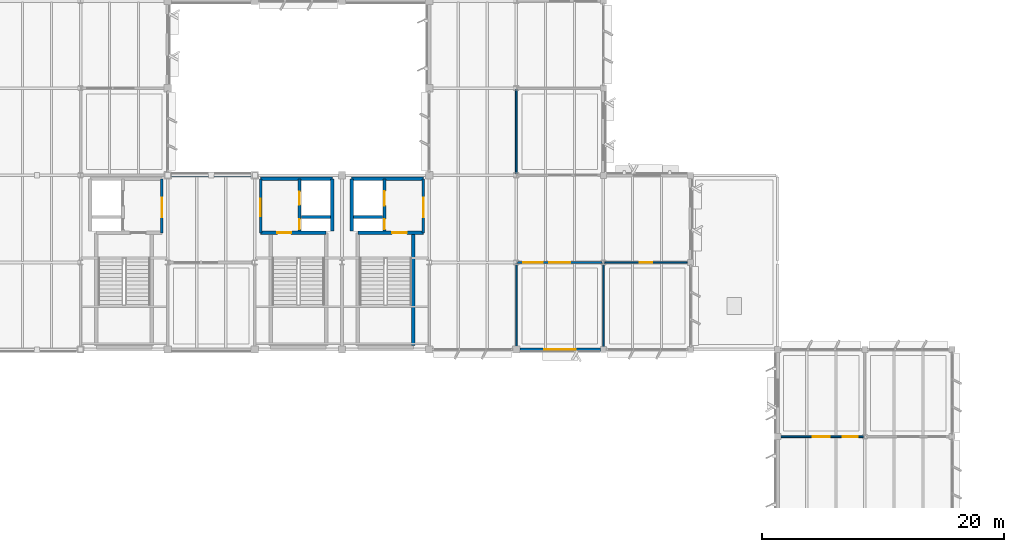
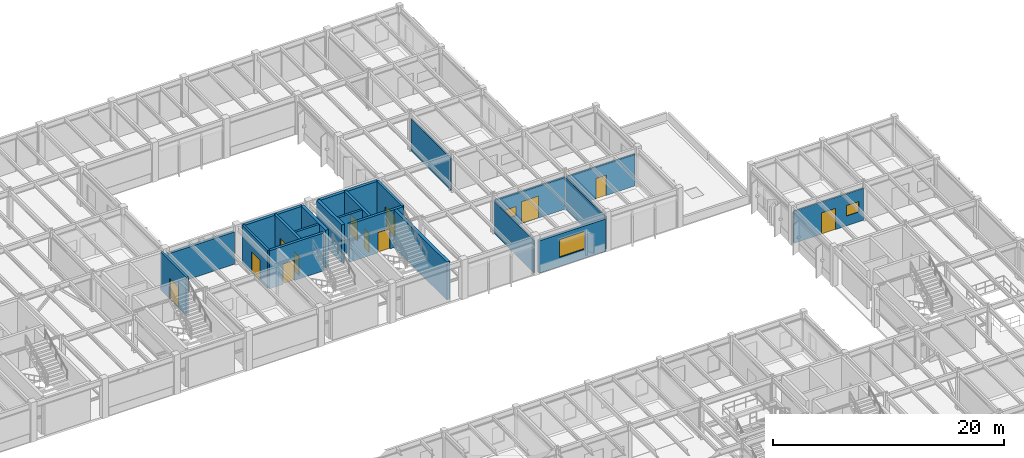
# One storey, part 41 of 85: 22 walls, 12 doors, 3 windows, 15 openings.
"""IFC4 building model written with IfcOpenShell, lengths in metres."""

from ifc_helpers import new_model, si_unit, direction, frame, frame_2d, origin, place, context, subcontext, project, spatial, rectangle, extrude, material, layer, layer_set, type_object, element, fill, save


model = new_model("IFC4")

# Units and contexts
model_context = context("Model", 3, precision=1e-05, world=origin(), true_north=direction((0.0, 1.0)))
body_context = subcontext(model_context, "Body", "Model", "MODEL_VIEW")
ifc_project = project(units=[si_unit("LENGTHUNIT", "METRE"), si_unit("AREAUNIT", "SQUARE_METRE"), si_unit("VOLUMEUNIT", "CUBIC_METRE"), si_unit("PLANEANGLEUNIT", "RADIAN"), si_unit("MASSUNIT", "GRAM", prefix="KILO")], contexts=[model_context])

# Site, building, storey
site_placement = place(None, origin())
site = spatial("IfcSite", under=ifc_project, at=site_placement, CompositionType="ELEMENT")
building_placement = place(site_placement, origin())
building = spatial("IfcBuilding", under=site, at=building_placement, Name="Sillqori Civic Hall", CompositionType="ELEMENT")
storey_placement = place(building_placement, frame((0.0, 0.0, 9.89990234375)))
storey = spatial("IfcBuildingStorey", under=building, at=storey_placement, Name="L03", CompositionType="ELEMENT", Elevation=9.89990234375)

# Wall, opening, door
ifc_material_1 = material(Name="Concrete C35/45 (H35)", Category="concrete")
ifc_layer_1 = layer(ifc_material_1, 0.219970703125)
ifc_layer_set_1 = layer_set([ifc_layer_1], Name="Concrete C35/45 (H35)")
wall_type_1 = type_object("IfcWallType", Name="CW-SHR-220", PredefinedType="SHEAR", material=ifc_layer_set_1)
wall_1_placement = place(storey_placement, frame((71.52001953125, 93.300048828125, 0.0), z_axis=(0.0, 0.0, 1.0), x_axis=(0.0, -1.0, 0.0)))
wall_1 = element("IfcWall", 1, at=wall_1_placement, inside=storey, type_object=wall_type_1, Name="L03 C6 firefighting lobby enclosure wall", PredefinedType="SHEAR", context=body_context, shape_type="SweptSolid", body=[
    extrude(rectangle(XDim=4.449951171875, YDim=0.219970703125, at=frame_2d((2.22509765625, 0.0))), origin(), (0.0, 0.0, 1.0), 4.02001953125),
])
opening_1_placement = place(wall_1_placement, frame((1.550048828125, 0.0, 0.0)))
opening_1 = element("IfcOpeningElement", 2, at=opening_1_placement, cuts=wall_1, Name="Opening FD-04", PredefinedType="OPENING", context=body_context, shape_type="SweptSolid", body=[
    extrude(rectangle(XDim=1.60009765625, YDim=2.199951171875, at=frame_2d((0.800048828125, 1.10009765625))), frame((0.0, 0.119873046875, 0.0), z_axis=(0.0, -1.0, 0.0), x_axis=(1.0, 0.0, 0.0)), (0.0, 0.0, 1.0), 0.239990234375),
])
ifc_material_2 = material(Name="Double-Leaf Firefighting Lobby Door", Category="steel")
door_type_1 = type_object("IfcDoorType", Name="FDR-LOB-160X220", OperationType="NOTDEFINED", PredefinedType="DOOR", material=ifc_material_2)
door_1_placement = place(opening_1_placement, origin())
door_1 = element("IfcDoor", 3, at=door_1_placement, inside=storey, type_object=door_type_1, Name="L03 C6 firefighting lobby exit door", OperationType="DOUBLE_DOOR_SINGLE_SWING", OverallHeight=2.199951171875, OverallWidth=1.60009765625, PredefinedType="DOOR", context=body_context, shape_type="SweptSolid", body=[
    extrude(rectangle(XDim=1.60009765625, YDim=2.199951171875, at=frame_2d((0.800048828125, 1.10009765625))), frame((0.0, 0.02490234375, 0.0), z_axis=(0.0, -1.0, 0.0), x_axis=(1.0, 0.0, 0.0)), (0.0, 0.0, 1.0), 0.050048828125),
])
fill(opening_1, door_1)

# Wall
wall_2_placement = place(storey_placement, frame((83.050048828125, 90.14990234375, 0.0), z_axis=(0.0, 0.0, 1.0), x_axis=(1.0, 0.0, 0.0)))
element("IfcWall", 4, at=wall_2_placement, inside=storey, type_object=wall_type_1, Name="L03 C7 Lift-riser divider wall", PredefinedType="SHEAR", context=body_context, shape_type="SweptSolid", body=[
    extrude(rectangle(XDim=2.39990234375, YDim=0.219970703125, at=frame_2d((1.199951171875, 0.0))), origin(), (0.0, 0.0, 1.0), 4.02001953125),
])

# Wall, opening, door
wall_3_placement = place(storey_placement, frame((79.679931640625, 88.85009765625, 0.0), z_axis=(0.0, 0.0, 1.0), x_axis=(0.0, 1.0, 0.0)))
wall_3 = element("IfcWall", 5, at=wall_3_placement, inside=storey, type_object=wall_type_1, Name="L03 C7 firefighting lobby enclosure wall", PredefinedType="SHEAR", context=body_context, shape_type="SweptSolid", body=[
    extrude(rectangle(XDim=4.449951171875, YDim=0.219970703125, at=frame_2d((2.22509765625, 0.0))), origin(), (0.0, 0.0, 1.0), 4.02001953125),
])
opening_2_placement = place(wall_3_placement, frame((1.375, 0.0, 0.0)))
opening_2 = element("IfcOpeningElement", 6, at=opening_2_placement, cuts=wall_3, Name="Opening FD-03", PredefinedType="OPENING", context=body_context, shape_type="SweptSolid", body=[
    extrude(rectangle(XDim=1.449951171875, YDim=2.199951171875, at=frame_2d((0.72509765625, 1.10009765625))), frame((0.0, 0.119873046875, 0.0), z_axis=(0.0, -1.0, 0.0), x_axis=(1.0, 0.0, 0.0)), (0.0, 0.0, 1.0), 0.239990234375),
])
ifc_material_3 = material(Name="Double-Leaf Smoke-Seal Lobby Door", Category="steel")
door_type_2 = type_object("IfcDoorType", Name="FDR-LOB-145X220", OperationType="NOTDEFINED", PredefinedType="DOOR", material=ifc_material_3)
door_2_placement = place(opening_2_placement, origin())
door_2 = element("IfcDoor", 7, at=door_2_placement, inside=storey, type_object=door_type_2, Name="L03 C7 firefighting lobby exit door", OperationType="DOUBLE_DOOR_SINGLE_SWING", OverallHeight=2.199951171875, OverallWidth=1.449951171875, PredefinedType="DOOR", context=body_context, shape_type="SweptSolid", body=[
    extrude(rectangle(XDim=1.449951171875, YDim=2.199951171875, at=frame_2d((0.72509765625, 1.10009765625))), frame((0.0, 0.02490234375, 0.0), z_axis=(0.0, -1.0, 0.0), x_axis=(1.0, 0.0, 0.0)), (0.0, 0.0, 1.0), 0.050048828125),
])
fill(opening_2, door_2)

# Wall
wall_4_placement = place(storey_placement, frame((87.35009765625, 90.14990234375, 0.0), z_axis=(0.0, 0.0, 1.0), x_axis=(1.0, 0.0, 0.0)))
element("IfcWall", 8, at=wall_4_placement, inside=storey, type_object=wall_type_1, Name="L03 C8 Lift-riser divider wall", PredefinedType="SHEAR", context=body_context, shape_type="SweptSolid", body=[
    extrude(rectangle(XDim=2.39990234375, YDim=0.219970703125, at=frame_2d((1.199951171875, 0.0))), origin(), (0.0, 0.0, 1.0), 4.02001953125),
])

# Wall, opening, door
wall_5_placement = place(storey_placement, frame((93.1201171875, 93.300048828125, 0.0), z_axis=(0.0, 0.0, 1.0), x_axis=(0.0, -1.0, 0.0)))
wall_5 = element("IfcWall", 9, at=wall_5_placement, inside=storey, type_object=wall_type_1, Name="L03 C8 firefighting lobby enclosure wall", PredefinedType="SHEAR", context=body_context, shape_type="SweptSolid", body=[
    extrude(rectangle(XDim=4.449951171875, YDim=0.219970703125, at=frame_2d((2.22509765625, 0.0))), origin(), (0.0, 0.0, 1.0), 4.02001953125),
])
opening_3_placement = place(wall_5_placement, frame((1.550048828125, 0.0, 0.0)))
opening_3 = element("IfcOpeningElement", 10, at=opening_3_placement, cuts=wall_5, Name="Opening FD-04", PredefinedType="OPENING", context=body_context, shape_type="SweptSolid", body=[
    extrude(rectangle(XDim=1.60009765625, YDim=2.199951171875, at=frame_2d((0.800048828125, 1.10009765625))), frame((0.0, 0.119873046875, 0.0), z_axis=(0.0, -1.0, 0.0), x_axis=(1.0, 0.0, 0.0)), (0.0, 0.0, 1.0), 0.239990234375),
])
door_3_placement = place(opening_3_placement, origin())
door_3 = element("IfcDoor", 11, at=door_3_placement, inside=storey, type_object=door_type_1, Name="L03 C8 firefighting lobby exit door", OperationType="DOUBLE_DOOR_SINGLE_SWING", OverallHeight=2.199951171875, OverallWidth=1.60009765625, PredefinedType="DOOR", context=body_context, shape_type="SweptSolid", body=[
    extrude(rectangle(XDim=1.60009765625, YDim=2.199951171875, at=frame_2d((0.800048828125, 1.10009765625))), frame((0.0, 0.02490234375, 0.0), z_axis=(0.0, -1.0, 0.0), x_axis=(1.0, 0.0, 0.0)), (0.0, 0.0, 1.0), 0.050048828125),
])
fill(opening_3, door_3)

ifc_layer_2 = layer(ifc_material_1, 0.260009765625)
ifc_layer_set_2 = layer_set([ifc_layer_2], Name="Concrete C35/45 (H35)")
wall_type_2 = type_object("IfcWallType", Name="CW-SHR-260", PredefinedType="SHEAR", material=ifc_layer_set_2)
wall_6_placement = place(storey_placement, frame((79.679931640625, 88.85009765625, 0.0), z_axis=(0.0, 0.0, 1.0), x_axis=(1.0, 0.0, 0.0)))
wall_6 = element("IfcWall", 12, at=wall_6_placement, inside=storey, type_object=wall_type_2, Name="L03 C7 Stair-lobby fire wall", PredefinedType="SHEAR", context=body_context, shape_type="SweptSolid", body=[
    extrude(rectangle(XDim=5.41015625, YDim=0.260009765625, at=frame_2d((2.705078125, 0.0))), origin(), (0.0, 0.0, 1.0), 4.02001953125),
])
opening_4_placement = place(wall_6_placement, frame((1.3701171875, 0.0, 0.0)))
opening_4 = element("IfcOpeningElement", 13, at=opening_4_placement, cuts=wall_6, Name="Opening FD-01", PredefinedType="OPENING", context=body_context, shape_type="SweptSolid", body=[
    extrude(rectangle(XDim=1.14990234375, YDim=2.14990234375, at=frame_2d((0.574951171875, 1.074951171875))), frame((0.0, 0.139892578125, 0.0), z_axis=(0.0, -1.0, 0.0), x_axis=(1.0, 0.0, 0.0)), (0.0, 0.0, 1.0), 0.280029296875),
])
ifc_material_4 = material(Name="Galvanized Steel Fire Door FD90S", Category="steel")
door_type_3 = type_object("IfcDoorType", Name="FDR-STR-115X215", OperationType="NOTDEFINED", PredefinedType="DOOR", material=ifc_material_4)
door_4_placement = place(opening_4_placement, origin())
door_4 = element("IfcDoor", 14, at=door_4_placement, inside=storey, type_object=door_type_3, Name="L03 stair ST-07 fire door", OperationType="SINGLE_SWING_RIGHT", OverallHeight=2.14990234375, OverallWidth=1.14990234375, PredefinedType="DOOR", context=body_context, shape_type="SweptSolid", body=[
    extrude(rectangle(XDim=1.14990234375, YDim=2.14990234375, at=frame_2d((0.574951171875, 1.074951171875))), frame((0.0, 0.02490234375, 0.0), z_axis=(0.0, -1.0, 0.0), x_axis=(1.0, 0.0, 0.0)), (0.0, 0.0, 1.0), 0.050048828125),
])
fill(opening_4, door_4)

# Wall, openings, doors
wall_7_placement = place(storey_placement, frame((82.89990234375, 88.97998046875, 0.0), z_axis=(0.0, 0.0, 1.0), x_axis=(0.0, 1.0, 0.0)))
wall_7 = element("IfcWall", 15, at=wall_7_placement, inside=storey, type_object=wall_type_2, Name="L03 C7 Lift landing & riser front wall", PredefinedType="SHEAR", context=body_context, shape_type="SweptSolid", body=[
    extrude(rectangle(XDim=4.320068359375, YDim=0.260009765625, at=frame_2d((2.16015625, 0.0))), origin(), (0.0, 0.0, 1.0), 4.02001953125),
])
opening_5_placement = place(wall_7_placement, frame((2.169921875, 0.0, 0.0)))
opening_5 = element("IfcOpeningElement", 16, at=opening_5_placement, cuts=wall_7, Name="Opening LD-01", PredefinedType="OPENING", context=body_context, shape_type="SweptSolid", body=[
    extrude(rectangle(XDim=1.10009765625, YDim=2.14990234375, at=frame_2d((0.550048828125, 1.074951171875))), frame((0.0, 0.139892578125, 0.0), z_axis=(0.0, -1.0, 0.0), x_axis=(1.0, 0.0, 0.0)), (0.0, 0.0, 1.0), 0.280029296875),
])
opening_6_placement = place(wall_7_placement, frame((0.14501953125, 0.0, 0.0)))
opening_6 = element("IfcOpeningElement", 17, at=opening_6_placement, cuts=wall_7, Name="Opening FD-05", PredefinedType="OPENING", context=body_context, shape_type="SweptSolid", body=[
    extrude(rectangle(XDim=0.85009765625, YDim=2.050048828125, at=frame_2d((0.425048828125, 1.02490234375))), frame((0.0, 0.139892578125, 0.0), z_axis=(0.0, -1.0, 0.0), x_axis=(1.0, 0.0, 0.0)), (0.0, 0.0, 1.0), 0.280029296875),
])
ifc_material_5 = material(Name="Steel Riser Access Fire Door", Category="steel")
door_type_4 = type_object("IfcDoorType", Name="FDR-RSR-085X205", OperationType="NOTDEFINED", PredefinedType="DOOR", material=ifc_material_5)
door_5_placement = place(opening_6_placement, origin())
door_5 = element("IfcDoor", 18, at=door_5_placement, inside=storey, type_object=door_type_4, Name="L03 MEP riser C7 fire access door", OperationType="SINGLE_SWING_LEFT", OverallHeight=2.050048828125, OverallWidth=0.85009765625, PredefinedType="DOOR", context=body_context, shape_type="SweptSolid", body=[
    extrude(rectangle(XDim=0.85009765625, YDim=2.050048828125, at=frame_2d((0.425048828125, 1.02490234375))), frame((0.0, 0.02490234375, 0.0), z_axis=(0.0, -1.0, 0.0), x_axis=(1.0, 0.0, 0.0)), (0.0, 0.0, 1.0), 0.050048828125),
])
fill(opening_6, door_5)
ifc_material_6 = material(Name="Stainless Steel Lift Landing Door", Category="steel")
door_type_5 = type_object("IfcDoorType", Name="LDR-PASS-110X215", OperationType="NOTDEFINED", PredefinedType="DOOR", material=ifc_material_6)
door_6_placement = place(opening_5_placement, origin())
door_6 = element("IfcDoor", 19, at=door_6_placement, inside=storey, type_object=door_type_5, Name="L03 lift LF-04 sliding landing door", OperationType="DOUBLE_DOOR_SLIDING", OverallHeight=2.14990234375, OverallWidth=1.10009765625, PredefinedType="DOOR", context=body_context, shape_type="SweptSolid", body=[
    extrude(rectangle(XDim=1.10009765625, YDim=2.14990234375, at=frame_2d((0.550048828125, 1.074951171875))), frame((0.0, 0.02490234375, 0.0), z_axis=(0.0, -1.0, 0.0), x_axis=(1.0, 0.0, 0.0)), (0.0, 0.0, 1.0), 0.050048828125),
])
fill(opening_5, door_6)

# Wall, opening, door
wall_8_placement = place(storey_placement, frame((87.7099609375, 88.85009765625, 0.0), z_axis=(0.0, 0.0, 1.0), x_axis=(1.0, 0.0, 0.0)))
wall_8 = element("IfcWall", 20, at=wall_8_placement, inside=storey, type_object=wall_type_2, Name="L03 C8 Stair-lobby fire wall", PredefinedType="SHEAR", context=body_context, shape_type="SweptSolid", body=[
    extrude(rectangle(XDim=5.41015625, YDim=0.260009765625, at=frame_2d((2.705078125, 0.0))), origin(), (0.0, 0.0, 1.0), 4.02001953125),
])
opening_7_placement = place(wall_8_placement, frame((2.840087890625, 0.0, 0.0)))
opening_7 = element("IfcOpeningElement", 21, at=opening_7_placement, cuts=wall_8, Name="Opening FD-02", PredefinedType="OPENING", context=body_context, shape_type="SweptSolid", body=[
    extrude(rectangle(XDim=1.219970703125, YDim=2.14990234375, at=frame_2d((0.60986328125, 1.074951171875))), frame((0.0, 0.139892578125, 0.0), z_axis=(0.0, -1.0, 0.0), x_axis=(1.0, 0.0, 0.0)), (0.0, 0.0, 1.0), 0.280029296875),
])
ifc_material_7 = material(Name="Galvanized Steel Fire Door FD120S", Category="steel")
door_type_6 = type_object("IfcDoorType", Name="FDR-STR-122X215", OperationType="NOTDEFINED", PredefinedType="DOOR", material=ifc_material_7)
door_7_placement = place(opening_7_placement, origin())
door_7 = element("IfcDoor", 22, at=door_7_placement, inside=storey, type_object=door_type_6, Name="L03 stair ST-08 fire door", OperationType="SINGLE_SWING_RIGHT", OverallHeight=2.14990234375, OverallWidth=1.219970703125, PredefinedType="DOOR", context=body_context, shape_type="SweptSolid", body=[
    extrude(rectangle(XDim=1.219970703125, YDim=2.14990234375, at=frame_2d((0.60986328125, 1.074951171875))), frame((0.0, 0.02490234375, 0.0), z_axis=(0.0, -1.0, 0.0), x_axis=(1.0, 0.0, 0.0)), (0.0, 0.0, 1.0), 0.050048828125),
])
fill(opening_7, door_7)

# Wall, openings, doors
wall_9_placement = place(storey_placement, frame((89.89990234375, 93.300048828125, 0.0), z_axis=(0.0, 0.0, 1.0), x_axis=(0.0, -1.0, 0.0)))
wall_9 = element("IfcWall", 23, at=wall_9_placement, inside=storey, type_object=wall_type_2, Name="L03 C8 Lift landing & riser front wall", PredefinedType="SHEAR", context=body_context, shape_type="SweptSolid", body=[
    extrude(rectangle(XDim=4.320068359375, YDim=0.260009765625, at=frame_2d((2.16015625, 0.0))), origin(), (0.0, 0.0, 1.0), 4.02001953125),
])
opening_8_placement = place(wall_9_placement, frame((1.0, 0.0, 0.0)))
opening_8 = element("IfcOpeningElement", 24, at=opening_8_placement, cuts=wall_9, Name="Opening LD-02", PredefinedType="OPENING", context=body_context, shape_type="SweptSolid", body=[
    extrude(rectangle(XDim=1.199951171875, YDim=2.14990234375, at=frame_2d((0.60009765625, 1.074951171875))), frame((0.0, 0.139892578125, 0.0), z_axis=(0.0, -1.0, 0.0), x_axis=(1.0, 0.0, 0.0)), (0.0, 0.0, 1.0), 0.280029296875),
])
opening_9_placement = place(wall_9_placement, frame((3.324951171875, 0.0, 0.0)))
opening_9 = element("IfcOpeningElement", 25, at=opening_9_placement, cuts=wall_9, Name="Opening FD-05", PredefinedType="OPENING", context=body_context, shape_type="SweptSolid", body=[
    extrude(rectangle(XDim=0.85009765625, YDim=2.050048828125, at=frame_2d((0.425048828125, 1.02490234375))), frame((0.0, 0.139892578125, 0.0), z_axis=(0.0, -1.0, 0.0), x_axis=(1.0, 0.0, 0.0)), (0.0, 0.0, 1.0), 0.280029296875),
])
door_8_placement = place(opening_9_placement, origin())
door_8 = element("IfcDoor", 26, at=door_8_placement, inside=storey, type_object=door_type_4, Name="L03 MEP riser C8 fire access door", OperationType="SINGLE_SWING_LEFT", OverallHeight=2.050048828125, OverallWidth=0.85009765625, PredefinedType="DOOR", context=body_context, shape_type="SweptSolid", body=[
    extrude(rectangle(XDim=0.85009765625, YDim=2.050048828125, at=frame_2d((0.425048828125, 1.02490234375))), frame((0.0, 0.02490234375, 0.0), z_axis=(0.0, -1.0, 0.0), x_axis=(1.0, 0.0, 0.0)), (0.0, 0.0, 1.0), 0.050048828125),
])
fill(opening_9, door_8)
ifc_material_8 = material(Name="Firefighting Lift Landing Door", Category="steel")
door_type_7 = type_object("IfcDoorType", Name="LDR-FIRE-120X215", OperationType="NOTDEFINED", PredefinedType="DOOR", material=ifc_material_8)
door_9_placement = place(opening_8_placement, origin())
door_9 = element("IfcDoor", 27, at=door_9_placement, inside=storey, type_object=door_type_7, Name="L03 lift LF-02 sliding landing door", OperationType="DOUBLE_DOOR_SLIDING", OverallHeight=2.14990234375, OverallWidth=1.199951171875, PredefinedType="DOOR", context=body_context, shape_type="SweptSolid", body=[
    extrude(rectangle(XDim=1.199951171875, YDim=2.14990234375, at=frame_2d((0.60009765625, 1.074951171875))), frame((0.0, 0.02490234375, 0.0), z_axis=(0.0, -1.0, 0.0), x_axis=(1.0, 0.0, 0.0)), (0.0, 0.0, 1.0), 0.050048828125),
])
fill(opening_8, door_9)

# Walls
ifc_layer_3 = layer(ifc_material_1, 0.300048828125)
ifc_layer_set_3 = layer_set([ifc_layer_3], Name="Concrete C35/45 (H35)")
wall_type_3 = type_object("IfcWallType", Name="CW-SHR-300", PredefinedType="SHEAR", material=ifc_layer_set_3)
wall_10_placement = place(storey_placement, frame((85.60009765625, 88.97998046875, 0.0), z_axis=(0.0, 0.0, 1.0), x_axis=(0.0, 1.0, 0.0)))
element("IfcWall", 28, at=wall_10_placement, inside=storey, type_object=wall_type_3, Name="L03 C7 Lift shaft east shear wall", PredefinedType="SHEAR", context=body_context, shape_type="SweptSolid", body=[
    extrude(rectangle(XDim=4.320068359375, YDim=0.300048828125, at=frame_2d((2.16015625, 0.0))), origin(), (0.0, 0.0, 1.0), 4.02001953125),
])
wall_11_placement = place(storey_placement, frame((79.679931640625, 93.300048828125, 0.0), z_axis=(0.0, 0.0, 1.0), x_axis=(1.0, 0.0, 0.0)))
element("IfcWall", 29, at=wall_11_placement, inside=storey, type_object=wall_type_3, Name="L03 C7 Core north shear wall", PredefinedType="SHEAR", context=body_context, shape_type="SweptSolid", body=[
    extrude(rectangle(XDim=5.920166015625, YDim=0.300048828125, at=frame_2d((2.9599609375, 0.0))), origin(), (0.0, 0.0, 1.0), 4.02001953125),
])
wall_12_placement = place(storey_placement, frame((92.2900390625, 79.550048828125, 0.0), z_axis=(0.0, 0.0, 1.0), x_axis=(0.0, 1.0, 0.0)))
element("IfcWall", 30, at=wall_12_placement, inside=storey, type_object=wall_type_3, Name="L03 C8 Stair east shear wall", PredefinedType="SHEAR", context=body_context, shape_type="SweptSolid", body=[
    extrude(rectangle(XDim=9.300048828125, YDim=0.300048828125, at=frame_2d((4.64990234375, 0.0))), origin(), (0.0, 0.0, 1.0), 4.02001953125),
])
wall_13_placement = place(storey_placement, frame((87.199951171875, 88.97998046875, 0.0), z_axis=(0.0, 0.0, 1.0), x_axis=(0.0, 1.0, 0.0)))
element("IfcWall", 31, at=wall_13_placement, inside=storey, type_object=wall_type_3, Name="L03 C8 Lift shaft west shear wall", PredefinedType="SHEAR", context=body_context, shape_type="SweptSolid", body=[
    extrude(rectangle(XDim=4.320068359375, YDim=0.300048828125, at=frame_2d((2.16015625, 0.0))), origin(), (0.0, 0.0, 1.0), 4.02001953125),
])
wall_14_placement = place(storey_placement, frame((87.199951171875, 93.300048828125, 0.0), z_axis=(0.0, 0.0, 1.0), x_axis=(1.0, 0.0, 0.0)))
element("IfcWall", 32, at=wall_14_placement, inside=storey, type_object=wall_type_3, Name="L03 C8 Core north shear wall", PredefinedType="SHEAR", context=body_context, shape_type="SweptSolid", body=[
    extrude(rectangle(XDim=5.920166015625, YDim=0.300048828125, at=frame_2d((2.9599609375, 0.0))), origin(), (0.0, 0.0, 1.0), 4.02001953125),
])
ifc_material_9 = material(Name="Precast concrete C40/50 (H40)", Category="concrete")
ifc_layer_4 = layer(ifc_material_9, 0.280029296875)
ifc_layer_set_4 = layer_set([ifc_layer_4], Name="Precast concrete C40/50 (H40)")
wall_type_4 = type_object("IfcWallType", Name="EW-LIME-280", PredefinedType="SOLIDWALL", material=ifc_layer_set_4)
wall_15_placement = place(storey_placement, frame((72.300048828125, 93.60009765625, 0.0), z_axis=(0.0, 0.0, 1.0), x_axis=(1.0, 0.0, 0.0)))
element("IfcWall", 33, at=wall_15_placement, inside=storey, type_object=wall_type_4, Name="L03 V4 exterior wall L03-10-12-N", PredefinedType="SOLIDWALL", context=body_context, shape_type="SweptSolid", body=[
    extrude(rectangle(XDim=6.599853515625, YDim=0.280029296875, at=frame_2d((3.2998046875, 0.0))), origin(), (0.0, 0.0, 1.0), 3.418212890625),
])

# Wall, opening, window
wall_16_placement = place(storey_placement, frame((107.75, 79.199951171875, 0.0), z_axis=(0.0, 0.0, 1.0), x_axis=(-1.0, 0.0, 0.0)))
wall_16 = element("IfcWall", 34, at=wall_16_placement, inside=storey, type_object=wall_type_4, Name="L03 V4 exterior wall L03-14-11-S", PredefinedType="SOLIDWALL", context=body_context, shape_type="SweptSolid", body=[
    extrude(rectangle(XDim=6.64990234375, YDim=0.280029296875, at=frame_2d((3.324951171875, 0.0))), origin(), (0.0, 0.0, 1.0), 3.418212890625),
])
opening_10_placement = place(wall_16_placement, frame((2.02490234375, 0.0, 0.949951171875)))
opening_10 = element("IfcOpeningElement", 35, at=opening_10_placement, cuts=wall_16, Name="Opening W-16", PredefinedType="OPENING", context=body_context, shape_type="SweptSolid", body=[
    extrude(rectangle(XDim=2.60009765625, YDim=1.89990234375, at=frame_2d((1.300048828125, 0.949951171875))), frame((0.0, 0.14990234375, 0.0), z_axis=(0.0, -1.0, 0.0), x_axis=(1.0, 0.0, 0.0)), (0.0, 0.0, 1.0), 0.300048828125),
])
ifc_material_10 = material(Name="Thermally Broken Aluminium Low-E Window", Category="aluminium")
window_type_1 = type_object("IfcWindowType", Name="WIN-V4-260X190", PartitioningType="SINGLE_PANEL", PredefinedType="WINDOW", material=ifc_material_10)
window_1_placement = place(opening_10_placement, origin())
window_1 = element("IfcWindow", 36, at=window_1_placement, inside=storey, type_object=window_type_1, Name="L03 V4 window L03-14-11-S.1", OverallHeight=1.89990234375, OverallWidth=2.60009765625, PartitioningType="SINGLE_PANEL", PredefinedType="WINDOW", context=body_context, shape_type="SweptSolid", body=[
    extrude(rectangle(XDim=2.60009765625, YDim=1.89990234375, at=frame_2d((1.300048828125, 0.949951171875))), frame((0.0, 0.030029296875, 0.0), z_axis=(0.0, -1.0, 0.0), x_axis=(1.0, 0.0, 0.0)), (0.0, 0.0, 1.0), 0.06005859375),
])
fill(opening_10, window_1)

# Walls
ifc_material_11 = material(Name="Double-Glazed Civic Suite Screen 118", Category="glass")
ifc_layer_5 = layer(ifc_material_11, 0.117919921875)
ifc_layer_set_5 = layer_set([ifc_layer_5], Name="Double-Glazed Civic Suite Screen 118")
wall_type_5 = type_object("IfcWallType", Name="PT-GLZ-118", PredefinedType="PARTITIONING", material=ifc_layer_set_5)
wall_17_placement = place(storey_placement, frame((100.800048828125, 79.320068359375, 0.0), z_axis=(0.0, 0.0, 1.0), x_axis=(0.0, 1.0, 0.0)))
element("IfcWall", 37, at=wall_17_placement, inside=storey, type_object=wall_type_5, Name="Civil Engineering and Drainage Directorate L03-06 partition W2", PredefinedType="PARTITIONING", context=body_context, shape_type="SweptSolid", body=[
    extrude(rectangle(XDim=6.9599609375, YDim=0.117919921875, at=frame_2d((3.47998046875, 0.0))), origin(), (0.0, 0.0, 1.0), 3.408203125),
])
wall_18_placement = place(storey_placement, frame((108.0, 86.280029296875, 0.0), z_axis=(0.0, 0.0, 1.0), x_axis=(0.0, -1.0, 0.0)))
element("IfcWall", 38, at=wall_18_placement, inside=storey, type_object=wall_type_5, Name="Civil Engineering and Drainage Directorate L03-06 partition E3", PredefinedType="PARTITIONING", context=body_context, shape_type="SweptSolid", body=[
    extrude(rectangle(XDim=6.9599609375, YDim=0.117919921875, at=frame_2d((3.47998046875, 0.0))), origin(), (0.0, 0.0, 1.0), 3.38818359375),
])

# Wall, opening, door
ifc_material_12 = material(Name="Acoustic Steel-Stud Partition 120", Category="steel")
ifc_layer_6 = layer(ifc_material_12, 0.1201171875)
ifc_layer_set_6 = layer_set([ifc_layer_6], Name="Acoustic Steel-Stud Partition 120")
wall_type_6 = type_object("IfcWallType", Name="PT-GYP-120", PredefinedType="PARTITIONING", material=ifc_layer_set_6)
wall_19_placement = place(storey_placement, frame((108.1201171875, 86.39990234375, 0.0), z_axis=(0.0, 0.0, 1.0), x_axis=(1.0, 0.0, 0.0)))
wall_19 = element("IfcWall", 39, at=wall_19_placement, inside=storey, type_object=wall_type_6, Name="Urban Planning Masterplan Studio L03-09 partition N1", PredefinedType="PARTITIONING", context=body_context, shape_type="SweptSolid", body=[
    extrude(rectangle(XDim=6.7998046875, YDim=0.1201171875, at=frame_2d((3.39990234375, 0.0))), origin(), (0.0, 0.0, 1.0), 3.38818359375),
])
opening_11_placement = place(wall_19_placement, frame((2.875, 0.0, 0.0)))
opening_11 = element("IfcOpeningElement", 40, at=opening_11_placement, cuts=wall_19, Name="Opening ID-14", PredefinedType="OPENING", context=body_context, shape_type="SweptSolid", body=[
    extrude(rectangle(XDim=1.050048828125, YDim=2.14990234375, at=frame_2d((0.52490234375, 1.074951171875))), frame((0.0, 0.070068359375, 0.0), z_axis=(0.0, -1.0, 0.0), x_axis=(1.0, 0.0, 0.0)), (0.0, 0.0, 1.0), 0.14013671875),
])
ifc_material_13 = material(Name="Solid-Core Cedar Office Door 1050", Category="timber")
door_type_8 = type_object("IfcDoorType", Name="IDR-OFF-105X215", OperationType="NOTDEFINED", PredefinedType="DOOR", material=ifc_material_13)
door_10_placement = place(opening_11_placement, origin())
door_10 = element("IfcDoor", 41, at=door_10_placement, inside=storey, type_object=door_type_8, Name="Urban Planning Masterplan Studio L03-09 entrance door", OperationType="SINGLE_SWING_RIGHT", OverallHeight=2.14990234375, OverallWidth=1.050048828125, PredefinedType="DOOR", context=body_context, shape_type="SweptSolid", body=[
    extrude(rectangle(XDim=1.050048828125, YDim=2.14990234375, at=frame_2d((0.52490234375, 1.074951171875))), frame((0.0, 0.02490234375, 0.0), z_axis=(0.0, -1.0, 0.0), x_axis=(1.0, 0.0, 0.0)), (0.0, 0.0, 1.0), 0.050048828125),
])
fill(opening_11, door_10)

# Wall, openings, door, window
ifc_material_14 = material(Name="Double-Board Acoustic Partition 135", Category="gypsum")
ifc_layer_7 = layer(ifc_material_14, 0.135009765625)
ifc_layer_set_7 = layer_set([ifc_layer_7], Name="Double-Board Acoustic Partition 135")
wall_type_7 = type_object("IfcWallType", Name="PT-GYP-135", PredefinedType="PARTITIONING", material=ifc_layer_set_7)
wall_20_placement = place(storey_placement, frame((129.47998046875, 72.0, 0.0), z_axis=(0.0, 0.0, 1.0), x_axis=(-1.0, 0.0, 0.0)))
wall_20 = element("IfcWall", 42, at=wall_20_placement, inside=storey, type_object=wall_type_7, Name="Library Open Book Stacks Historic Statutes partition S1", PredefinedType="PARTITIONING", context=body_context, shape_type="SweptSolid", body=[
    extrude(rectangle(XDim=6.9599609375, YDim=0.135009765625, at=frame_2d((3.47998046875, 0.0))), origin(), (0.0, 0.0, 1.0), 3.398193359375),
])
opening_12_placement = place(wall_20_placement, frame((2.780029296875, 0.0, 0.0)))
opening_12 = element("IfcOpeningElement", 43, at=opening_12_placement, cuts=wall_20, Name="Opening ID-10", PredefinedType="OPENING", context=body_context, shape_type="SweptSolid", body=[
    extrude(rectangle(XDim=1.39990234375, YDim=2.25, at=frame_2d((0.699951171875, 1.125))), frame((0.0, 0.077392578125, 0.0), z_axis=(0.0, -1.0, 0.0), x_axis=(1.0, 0.0, 0.0)), (0.0, 0.0, 1.0), 0.155029296875),
])
opening_13_placement = place(wall_20_placement, frame((0.449951171875, 0.0, 1.050048828125)))
opening_13 = element("IfcOpeningElement", 44, at=opening_13_placement, cuts=wall_20, Name="Opening IW-38", PredefinedType="OPENING", context=body_context, shape_type="SweptSolid", body=[
    extrude(rectangle(XDim=1.260009765625, YDim=1.10009765625, at=frame_2d((0.6298828125, 0.550048828125))), frame((0.0, 0.077392578125, 0.0), z_axis=(0.0, -1.0, 0.0), x_axis=(1.0, 0.0, 0.0)), (0.0, 0.0, 1.0), 0.155029296875),
])
ifc_material_15 = material(Name="Open Stacks Double Leaf Fire Door", Category="timber")
door_type_9 = type_object("IfcDoorType", Name="IDR-STK-140X225", OperationType="NOTDEFINED", PredefinedType="DOOR", material=ifc_material_15)
door_11_placement = place(opening_12_placement, origin())
door_11 = element("IfcDoor", 45, at=door_11_placement, inside=storey, type_object=door_type_9, Name="Library Open Book Stacks Historic Statutes entrance door", OperationType="DOUBLE_DOOR_SINGLE_SWING", OverallHeight=2.25, OverallWidth=1.39990234375, PredefinedType="DOOR", context=body_context, shape_type="SweptSolid", body=[
    extrude(rectangle(XDim=1.39990234375, YDim=2.25, at=frame_2d((0.699951171875, 1.125))), frame((0.0, 0.02490234375, 0.0), z_axis=(0.0, -1.0, 0.0), x_axis=(1.0, 0.0, 0.0)), (0.0, 0.0, 1.0), 0.050048828125),
])
fill(opening_12, door_11)
ifc_material_16 = material(Name="Acoustic Laminated Interior Clerestory Glazing", Category="glass")
window_type_2 = type_object("IfcWindowType", Name="IWN-GAL-126X110", PartitioningType="SINGLE_PANEL", PredefinedType="WINDOW", material=ifc_material_16)
window_2_placement = place(opening_13_placement, origin())
window_2 = element("IfcWindow", 46, at=window_2_placement, inside=storey, type_object=window_type_2, Name="Library Open Book Stacks Historic Statutes borrowed-light screen", OverallHeight=1.10009765625, OverallWidth=1.260009765625, PartitioningType="SINGLE_PANEL", PredefinedType="WINDOW", context=body_context, shape_type="SweptSolid", body=[
    extrude(rectangle(XDim=1.260009765625, YDim=1.10009765625, at=frame_2d((0.6298828125, 0.550048828125))), frame((0.0, 0.030029296875, 0.0), z_axis=(0.0, -1.0, 0.0), x_axis=(1.0, 0.0, 0.0)), (0.0, 0.0, 1.0), 0.06005859375),
])
fill(opening_13, window_2)

ifc_material_17 = material(Name="Corridor Fire-Rated Partition 150", Category="gypsum")
ifc_layer_8 = layer(ifc_material_17, 0.14990234375)
ifc_layer_set_8 = layer_set([ifc_layer_8], Name="Corridor Fire-Rated Partition 150")
wall_type_8 = type_object("IfcWallType", Name="PT-GYP-150", PredefinedType="PARTITIONING", material=ifc_layer_set_8)
wall_21_placement = place(storey_placement, frame((100.919921875, 86.39990234375, 0.0), z_axis=(0.0, 0.0, 1.0), x_axis=(1.0, 0.0, 0.0)))
wall_21 = element("IfcWall", 47, at=wall_21_placement, inside=storey, type_object=wall_type_8, Name="Civil Engineering and Drainage Directorate L03-06 partition N1", PredefinedType="PARTITIONING", context=body_context, shape_type="SweptSolid", body=[
    extrude(rectangle(XDim=6.9599609375, YDim=0.14990234375, at=frame_2d((3.47998046875, 0.0))), origin(), (0.0, 0.0, 1.0), 3.408203125),
])
opening_14_placement = place(wall_21_placement, frame((2.6201171875, 0.0, 0.0)))
opening_14 = element("IfcOpeningElement", 48, at=opening_14_placement, cuts=wall_21, Name="Opening ID-39", PredefinedType="OPENING", context=body_context, shape_type="SweptSolid", body=[
    extrude(rectangle(XDim=1.719970703125, YDim=2.320068359375, at=frame_2d((0.85986328125, 1.16015625))), frame((0.0, 0.0849609375, 0.0), z_axis=(0.0, -1.0, 0.0), x_axis=(1.0, 0.0, 0.0)), (0.0, 0.0, 1.0), 0.169921875),
])
opening_15_placement = place(wall_21_placement, frame((0.449951171875, 0.0, 1.050048828125)))
opening_15 = element("IfcOpeningElement", 49, at=opening_15_placement, cuts=wall_21, Name="Opening IW-30", PredefinedType="OPENING", context=body_context, shape_type="SweptSolid", body=[
    extrude(rectangle(XDim=1.6201171875, YDim=0.9599609375, at=frame_2d((0.81005859375, 0.47998046875))), frame((0.0, 0.0849609375, 0.0), z_axis=(0.0, -1.0, 0.0), x_axis=(1.0, 0.0, 0.0)), (0.0, 0.0, 1.0), 0.169921875),
])
ifc_material_18 = material(Name="Tribunal Double Door 1720", Category="timber")
door_type_10 = type_object("IfcDoorType", Name="IDR-DIR-172X232", OperationType="NOTDEFINED", PredefinedType="DOOR", material=ifc_material_18)
door_12_placement = place(opening_14_placement, origin())
door_12 = element("IfcDoor", 50, at=door_12_placement, inside=storey, type_object=door_type_10, Name="Civil Engineering and Drainage Directorate L03-06 entrance door", OperationType="DOUBLE_DOOR_SINGLE_SWING", OverallHeight=2.320068359375, OverallWidth=1.719970703125, PredefinedType="DOOR", context=body_context, shape_type="SweptSolid", body=[
    extrude(rectangle(XDim=1.719970703125, YDim=2.320068359375, at=frame_2d((0.85986328125, 1.16015625))), frame((0.0, 0.02490234375, 0.0), z_axis=(0.0, -1.0, 0.0), x_axis=(1.0, 0.0, 0.0)), (0.0, 0.0, 1.0), 0.050048828125),
])
fill(opening_14, door_12)
window_type_3 = type_object("IfcWindowType", Name="IWN-GAL-162X096", PartitioningType="SINGLE_PANEL", PredefinedType="WINDOW", material=ifc_material_16)
window_3_placement = place(opening_15_placement, origin())
window_3 = element("IfcWindow", 51, at=window_3_placement, inside=storey, type_object=window_type_3, Name="Civil Engineering and Drainage Directorate L03-06 borrowed-light screen", OverallHeight=0.9599609375, OverallWidth=1.6201171875, PartitioningType="SINGLE_PANEL", PredefinedType="WINDOW", context=body_context, shape_type="SweptSolid", body=[
    extrude(rectangle(XDim=1.6201171875, YDim=0.9599609375, at=frame_2d((0.81005859375, 0.47998046875))), frame((0.0, 0.030029296875, 0.0), z_axis=(0.0, -1.0, 0.0), x_axis=(1.0, 0.0, 0.0)), (0.0, 0.0, 1.0), 0.06005859375),
])
fill(opening_15, window_3)

# Wall
ifc_material_19 = material(Name="Andean Cedar Slatted Acoustic Wall 132", Category="timber")
ifc_layer_9 = layer(ifc_material_19, 0.132080078125)
ifc_layer_set_9 = layer_set([ifc_layer_9], Name="Andean Cedar Slatted Acoustic Wall 132")
wall_type_9 = type_object("IfcWallType", Name="PT-TIM-132", PredefinedType="PARTITIONING", material=ifc_layer_set_9)
wall_22_placement = place(storey_placement, frame((100.800048828125, 93.719970703125, 0.0), z_axis=(0.0, 0.0, 1.0), x_axis=(0.0, 1.0, 0.0)))
element("IfcWall", 52, at=wall_22_placement, inside=storey, type_object=wall_type_9, Name="Public Works Project Management Office L03-07 partition W3", PredefinedType="PARTITIONING", context=body_context, shape_type="SweptSolid", body=[
    extrude(rectangle(XDim=6.9599609375, YDim=0.132080078125, at=frame_2d((3.47998046875, 0.0))), origin(), (0.0, 0.0, 1.0), 3.408203125),
])

save(model, "model.ifc")
